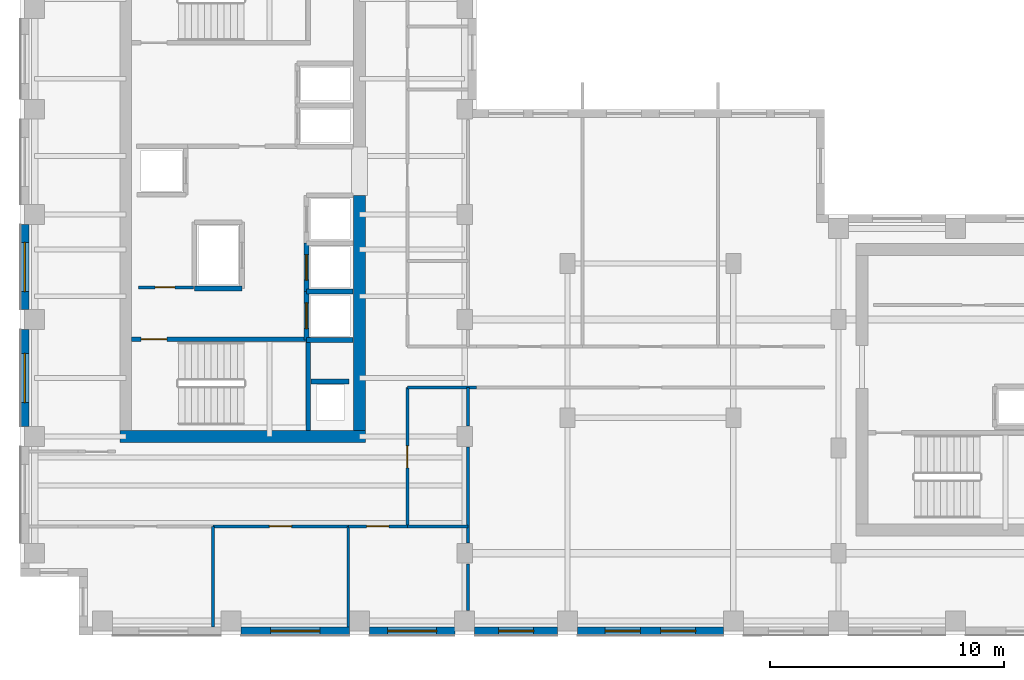
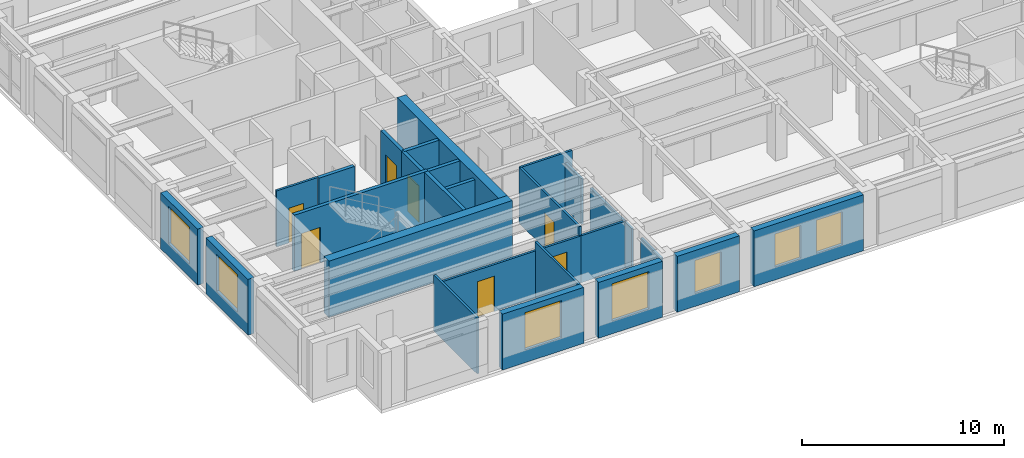
# One storey, part 6 of 12: 27 walls, 7 doors, 7 windows, 14 openings.
"""IFC4 building model written with IfcOpenShell, lengths in metres."""

from ifc_helpers import new_model, si_unit, direction, frame, frame_2d, origin, place, context, subcontext, project, spatial, rectangle, extrude, source, transform, mapped, material, layer, layer_set, type_object, element, fill, save


model = new_model("IFC4")

# Units and contexts
model_context = context("Model", 3, precision=1e-05, world=origin(), true_north=direction((0.0, 1.0)))
body_context = subcontext(model_context, "Body", "Model", "MODEL_VIEW")
ifc_project = project(units=[si_unit("LENGTHUNIT", "METRE"), si_unit("AREAUNIT", "SQUARE_METRE"), si_unit("VOLUMEUNIT", "CUBIC_METRE"), si_unit("PLANEANGLEUNIT", "RADIAN"), si_unit("MASSUNIT", "GRAM", prefix="KILO")], contexts=[model_context])

# Site, building, storey
site_placement = place(None, origin())
site = spatial("IfcSite", under=ifc_project, at=site_placement, CompositionType="ELEMENT")
building_placement = place(site_placement, origin())
building = spatial("IfcBuilding", under=site, at=building_placement, Name="Kharzan Plaza Tower", CompositionType="ELEMENT")
storey_placement = place(building_placement, frame((0.0, 0.0, 255.60009765625)))
storey = spatial("IfcBuildingStorey", under=building, at=storey_placement, Name="L69", CompositionType="ELEMENT", Elevation=255.60009765625)

# Wall, opening, window
ifc_material_1 = material(Name="Concrete C40/50", Category="concrete")
ifc_layer_1 = layer(ifc_material_1, 0.35009765625)
ifc_layer_set_1 = layer_set([ifc_layer_1], Name="Concrete C40/50")
wall_type_1 = type_object("IfcWallType", Name="WL-EXT-MAS-Z4", PredefinedType="SOLIDWALL", material=ifc_layer_set_1)
wall_1_placement = place(storey_placement, frame((0.175048828125, 17.576904296875, 0.0), z_axis=(0.0, 0.0, 1.0), x_axis=(0.0, -1.0, 0.0)))
wall_1 = element("IfcWall", 1, at=wall_1_placement, inside=storey, type_object=wall_type_1, Name="L69 Masonry-Frame Exterior Wall 20", PredefinedType="SOLIDWALL", context=body_context, shape_type="SweptSolid", body=[
    extrude(rectangle(XDim=3.65380859375, YDim=0.35009765625, at=frame_2d((1.826904296875, 0.0))), origin(), (0.0, 0.0, 1.0), 3.385009765625),
])
opening_1_placement = place(wall_1_placement, frame((0.777099609375, 0.0, 0.780029296875)))
opening_1 = element("IfcOpeningElement", 2, at=opening_1_placement, cuts=wall_1, Name="Opening W6", PredefinedType="OPENING", context=body_context, shape_type="SweptSolid", body=[
    extrude(rectangle(XDim=2.10009765625, YDim=2.25, at=frame_2d((1.050048828125, 1.125))), frame((0.0, 0.18505859375, 0.0), z_axis=(0.0, -1.0, 0.0), x_axis=(1.0, 0.0, 0.0)), (0.0, 0.0, 1.0), 0.3701171875),
])
ifc_material_2 = material(Name="Low-E Double Glazing", Category="glass")
window_type_1 = type_object("IfcWindowType", Name="WN-EXEC-2100x2250", PartitioningType="SINGLE_PANEL", PredefinedType="WINDOW", material=ifc_material_2)
shared_shape_1 = source(origin(), body_context, "Body", "SweptSolid", [
    extrude(rectangle(XDim=2.10009765625, YDim=2.25, at=frame_2d((1.050048828125, 1.125))), frame((0.0, 0.030029296875, 0.0), z_axis=(0.0, -1.0, 0.0), x_axis=(1.0, 0.0, 0.0)), (0.0, 0.0, 1.0), 0.06005859375),
])
window_1_placement = place(opening_1_placement, origin())
window_1 = element("IfcWindow", 3, at=window_1_placement, inside=storey, type_object=window_type_1, Name="L69 Recessed Solar-Control Window 20-1", OverallHeight=2.25, OverallWidth=2.10009765625, PartitioningType="SINGLE_PANEL", PredefinedType="WINDOW", context=body_context, shape_type="MappedRepresentation", body=[
    mapped(shared_shape_1, transform((0.0, 0.0, 0.0), x_axis=(1.0, 0.0, 0.0), y_axis=(0.0, 1.0, 0.0), z_axis=(0.0, 0.0, 1.0))),
])
fill(opening_1, window_1)

wall_2_placement = place(storey_placement, frame((0.175048828125, 13.076904296875, 0.0), z_axis=(0.0, 0.0, 1.0), x_axis=(0.0, -1.0, 0.0)))
wall_2 = element("IfcWall", 4, at=wall_2_placement, inside=storey, type_object=wall_type_1, Name="L69 Masonry-Frame Exterior Wall 21", PredefinedType="SOLIDWALL", context=body_context, shape_type="SweptSolid", body=[
    extrude(rectangle(XDim=4.15380859375, YDim=0.35009765625, at=frame_2d((2.076904296875, 0.0))), origin(), (0.0, 0.0, 1.0), 3.385009765625),
])
opening_2_placement = place(wall_2_placement, frame((1.027099609375, 0.0, 0.780029296875)))
opening_2 = element("IfcOpeningElement", 5, at=opening_2_placement, cuts=wall_2, Name="Opening W6", PredefinedType="OPENING", context=body_context, shape_type="SweptSolid", body=[
    extrude(rectangle(XDim=2.10009765625, YDim=2.25, at=frame_2d((1.050048828125, 1.125))), frame((0.0, 0.18505859375, 0.0), z_axis=(0.0, -1.0, 0.0), x_axis=(1.0, 0.0, 0.0)), (0.0, 0.0, 1.0), 0.3701171875),
])
window_2_placement = place(opening_2_placement, origin())
window_2 = element("IfcWindow", 6, at=window_2_placement, inside=storey, type_object=window_type_1, Name="L69 Recessed Solar-Control Window 21-1", OverallHeight=2.25, OverallWidth=2.10009765625, PartitioningType="SINGLE_PANEL", PredefinedType="WINDOW", context=body_context, shape_type="MappedRepresentation", body=[
    mapped(shared_shape_1, transform((0.0, 0.0, 0.0), x_axis=(1.0, 0.0, 0.0), y_axis=(0.0, 1.0, 0.0), z_axis=(0.0, 0.0, 1.0))),
])
fill(opening_2, window_2)

wall_3_placement = place(storey_placement, frame((9.423095703125, 0.175048828125, 0.0), z_axis=(0.0, 0.0, 1.0), x_axis=(1.0, 0.0, 0.0)))
wall_3 = element("IfcWall", 7, at=wall_3_placement, inside=storey, type_object=wall_type_1, Name="L69 Masonry-Frame Exterior Wall 28", PredefinedType="SOLIDWALL", context=body_context, shape_type="SweptSolid", body=[
    extrude(rectangle(XDim=4.65380859375, YDim=0.35009765625, at=frame_2d((2.326904296875, 0.0))), origin(), (0.0, 0.0, 1.0), 3.385009765625),
])
opening_3_placement = place(wall_3_placement, frame((1.277099609375, 0.0, 0.780029296875)))
opening_3 = element("IfcOpeningElement", 8, at=opening_3_placement, cuts=wall_3, Name="Opening W6", PredefinedType="OPENING", context=body_context, shape_type="SweptSolid", body=[
    extrude(rectangle(XDim=2.10009765625, YDim=2.25, at=frame_2d((1.050048828125, 1.125))), frame((0.0, 0.18505859375, 0.0), z_axis=(0.0, -1.0, 0.0), x_axis=(1.0, 0.0, 0.0)), (0.0, 0.0, 1.0), 0.3701171875),
])
window_3_placement = place(opening_3_placement, origin())
window_3 = element("IfcWindow", 9, at=window_3_placement, inside=storey, type_object=window_type_1, Name="L69 Recessed Solar-Control Window 28-1", OverallHeight=2.25, OverallWidth=2.10009765625, PartitioningType="SINGLE_PANEL", PredefinedType="WINDOW", context=body_context, shape_type="MappedRepresentation", body=[
    mapped(shared_shape_1, transform((0.0, 0.0, 0.0), x_axis=(1.0, 0.0, 0.0), y_axis=(0.0, 1.0, 0.0), z_axis=(0.0, 0.0, 1.0))),
])
fill(opening_3, window_3)

wall_4_placement = place(storey_placement, frame((14.923095703125, 0.175048828125, 0.0), z_axis=(0.0, 0.0, 1.0), x_axis=(1.0, 0.0, 0.0)))
wall_4 = element("IfcWall", 10, at=wall_4_placement, inside=storey, type_object=wall_type_1, Name="L69 Masonry-Frame Exterior Wall 29", PredefinedType="SOLIDWALL", context=body_context, shape_type="SweptSolid", body=[
    extrude(rectangle(XDim=3.65380859375, YDim=0.35009765625, at=frame_2d((1.826904296875, 0.0))), origin(), (0.0, 0.0, 1.0), 3.385009765625),
])
opening_4_placement = place(wall_4_placement, frame((0.777099609375, 0.0, 0.780029296875)))
opening_4 = element("IfcOpeningElement", 11, at=opening_4_placement, cuts=wall_4, Name="Opening W6", PredefinedType="OPENING", context=body_context, shape_type="SweptSolid", body=[
    extrude(rectangle(XDim=2.10009765625, YDim=2.25, at=frame_2d((1.050048828125, 1.125))), frame((0.0, 0.18505859375, 0.0), z_axis=(0.0, -1.0, 0.0), x_axis=(1.0, 0.0, 0.0)), (0.0, 0.0, 1.0), 0.3701171875),
])
window_4_placement = place(opening_4_placement, origin())
window_4 = element("IfcWindow", 12, at=window_4_placement, inside=storey, type_object=window_type_1, Name="L69 Recessed Solar-Control Window 29-1", OverallHeight=2.25, OverallWidth=2.10009765625, PartitioningType="SINGLE_PANEL", PredefinedType="WINDOW", context=body_context, shape_type="MappedRepresentation", body=[
    mapped(shared_shape_1, transform((0.0, 0.0, 0.0), x_axis=(1.0, 0.0, 0.0), y_axis=(0.0, 1.0, 0.0), z_axis=(0.0, 0.0, 1.0))),
])
fill(opening_4, window_4)

wall_5_placement = place(storey_placement, frame((19.423095703125, 0.175048828125, 0.0), z_axis=(0.0, 0.0, 1.0), x_axis=(1.0, 0.0, 0.0)))
wall_5 = element("IfcWall", 13, at=wall_5_placement, inside=storey, type_object=wall_type_1, Name="L69 Masonry-Frame Exterior Wall 30", PredefinedType="SOLIDWALL", context=body_context, shape_type="SweptSolid", body=[
    extrude(rectangle(XDim=3.553955078125, YDim=0.35009765625, at=frame_2d((1.77685546875, 0.0))), origin(), (0.0, 0.0, 1.0), 3.385009765625),
])
opening_5_placement = place(wall_5_placement, frame((1.027099609375, 0.0, 0.780029296875)))
opening_5 = element("IfcOpeningElement", 14, at=opening_5_placement, cuts=wall_5, Name="Opening W5", PredefinedType="OPENING", context=body_context, shape_type="SweptSolid", body=[
    extrude(rectangle(XDim=1.5, YDim=2.0, at=frame_2d((0.75, 1.0))), frame((0.0, 0.18505859375, 0.0), z_axis=(0.0, -1.0, 0.0), x_axis=(1.0, 0.0, 0.0)), (0.0, 0.0, 1.0), 0.3701171875),
])
window_type_2 = type_object("IfcWindowType", Name="WN-SLT-1500x2000", PartitioningType="SINGLE_PANEL", PredefinedType="WINDOW", material=ifc_material_2)
shared_shape_2 = source(origin(), body_context, "Body", "SweptSolid", [
    extrude(rectangle(XDim=1.5, YDim=2.0, at=frame_2d((0.75, 1.0))), frame((0.0, 0.030029296875, 0.0), z_axis=(0.0, -1.0, 0.0), x_axis=(1.0, 0.0, 0.0)), (0.0, 0.0, 1.0), 0.06005859375),
])
window_5_placement = place(opening_5_placement, origin())
window_5 = element("IfcWindow", 15, at=window_5_placement, inside=storey, type_object=window_type_2, Name="L69 Recessed Solar-Control Window 30-1", OverallHeight=2.0, OverallWidth=1.5, PartitioningType="SINGLE_PANEL", PredefinedType="WINDOW", context=body_context, shape_type="MappedRepresentation", body=[
    mapped(shared_shape_2, transform((0.0, 0.0, 0.0), x_axis=(1.0, 0.0, 0.0), y_axis=(0.0, 1.0, 0.0), z_axis=(0.0, 0.0, 1.0))),
])
fill(opening_5, window_5)

# Wall, openings, windows
wall_6_placement = place(storey_placement, frame((23.822998046875, 0.175048828125, 0.0), z_axis=(0.0, 0.0, 1.0), x_axis=(1.0, 0.0, 0.0)))
wall_6 = element("IfcWall", 16, at=wall_6_placement, inside=storey, type_object=wall_type_1, Name="L69 Masonry-Frame Exterior Wall 31", PredefinedType="SOLIDWALL", context=body_context, shape_type="SweptSolid", body=[
    extrude(rectangle(XDim=6.25390625, YDim=0.35009765625, at=frame_2d((3.126953125, 0.0))), origin(), (0.0, 0.0, 1.0), 3.385009765625),
])
opening_6_placement = place(wall_6_placement, frame((1.19140625, 0.0, 0.780029296875)))
opening_6 = element("IfcOpeningElement", 17, at=opening_6_placement, cuts=wall_6, Name="Opening W5", PredefinedType="OPENING", context=body_context, shape_type="SweptSolid", body=[
    extrude(rectangle(XDim=1.5, YDim=2.0, at=frame_2d((0.75, 1.0))), frame((0.0, 0.18505859375, 0.0), z_axis=(0.0, -1.0, 0.0), x_axis=(1.0, 0.0, 0.0)), (0.0, 0.0, 1.0), 0.3701171875),
])
opening_7_placement = place(wall_6_placement, frame((3.562744140625, 0.0, 0.780029296875)))
opening_7 = element("IfcOpeningElement", 18, at=opening_7_placement, cuts=wall_6, Name="Opening W5", PredefinedType="OPENING", context=body_context, shape_type="SweptSolid", body=[
    extrude(rectangle(XDim=1.5, YDim=2.0, at=frame_2d((0.75, 1.0))), frame((0.0, 0.18505859375, 0.0), z_axis=(0.0, -1.0, 0.0), x_axis=(1.0, 0.0, 0.0)), (0.0, 0.0, 1.0), 0.3701171875),
])
window_6_placement = place(opening_6_placement, origin())
window_6 = element("IfcWindow", 19, at=window_6_placement, inside=storey, type_object=window_type_2, Name="L69 Recessed Solar-Control Window 31-1", OverallHeight=2.0, OverallWidth=1.5, PartitioningType="SINGLE_PANEL", PredefinedType="WINDOW", context=body_context, shape_type="MappedRepresentation", body=[
    mapped(shared_shape_2, transform((0.0, 0.0, 0.0), x_axis=(1.0, 0.0, 0.0), y_axis=(0.0, 1.0, 0.0), z_axis=(0.0, 0.0, 1.0))),
])
fill(opening_6, window_6)
window_7_placement = place(opening_7_placement, origin())
window_7 = element("IfcWindow", 20, at=window_7_placement, inside=storey, type_object=window_type_2, Name="L69 Recessed Solar-Control Window 31-2", OverallHeight=2.0, OverallWidth=1.5, PartitioningType="SINGLE_PANEL", PredefinedType="WINDOW", context=body_context, shape_type="MappedRepresentation", body=[
    mapped(shared_shape_2, transform((0.0, 0.0, 0.0), x_axis=(1.0, 0.0, 0.0), y_axis=(0.0, 1.0, 0.0), z_axis=(0.0, 0.0, 1.0))),
])
fill(opening_7, window_7)

# Wall, opening, door
ifc_material_3 = material(Name="Fire-Rated Gypsum Board Partition", Category="gypsum")
ifc_layer_2 = layer(ifc_material_3, 0.125)
ifc_layer_set_2 = layer_set([ifc_layer_2], Name="Fire-Rated Gypsum Board Partition")
wall_type_2 = type_object("IfcWallType", Name="WL-INT-PART-125", PredefinedType="PARTITIONING", material=ifc_layer_set_2)
wall_7_placement = place(storey_placement, frame((5.050048828125, 14.8798828125, 0.0), z_axis=(0.0, 0.0, 1.0), x_axis=(1.0, 0.0, 0.0)))
wall_7 = element("IfcWall", 21, at=wall_7_placement, inside=storey, type_object=wall_type_2, Name="L69 Interior Partition CA-K0", PredefinedType="PARTITIONING", context=body_context, shape_type="SweptSolid", body=[
    extrude(rectangle(XDim=2.349853515625, YDim=0.125, at=frame_2d((1.1748046875, 0.0))), origin(), (0.0, 0.0, 1.0), 3.385009765625),
])
opening_8_placement = place(wall_7_placement, frame((0.699951171875, 0.0, 0.0)))
opening_8 = element("IfcOpeningElement", 22, at=opening_8_placement, cuts=wall_7, Name="Opening RD1", PredefinedType="OPENING", context=body_context, shape_type="SweptSolid", body=[
    extrude(rectangle(XDim=0.85009765625, YDim=2.10009765625, at=frame_2d((0.425048828125, 1.050048828125))), frame((0.0, 0.072509765625, 0.0), z_axis=(0.0, -1.0, 0.0), x_axis=(1.0, 0.0, 0.0)), (0.0, 0.0, 1.0), 0.14501953125),
])
ifc_material_4 = material(Name="Powder-Coated Fire-Rated Steel", Category="steel")
door_type_1 = type_object("IfcDoorType", Name="DR-RISER-900", OperationType="NOTDEFINED", PredefinedType="DOOR", material=ifc_material_4)
shared_shape_3 = source(origin(), body_context, "Body", "SweptSolid", [
    extrude(rectangle(XDim=0.85009765625, YDim=2.10009765625, at=frame_2d((0.425048828125, 1.050048828125))), frame((0.0, 0.02490234375, 0.0), z_axis=(0.0, -1.0, 0.0), x_axis=(1.0, 0.0, 0.0)), (0.0, 0.0, 1.0), 0.050048828125),
])
door_1_placement = place(opening_8_placement, origin())
door_1 = element("IfcDoor", 23, at=door_1_placement, inside=storey, type_object=door_type_1, Name="L69 Cleaners Store Door", OperationType="SINGLE_SWING_LEFT", OverallHeight=2.10009765625, OverallWidth=0.85009765625, PredefinedType="DOOR", context=body_context, shape_type="MappedRepresentation", body=[
    mapped(shared_shape_3, transform((0.0, 0.0, 0.0), x_axis=(1.0, 0.0, 0.0), y_axis=(0.0, 1.0, 0.0), z_axis=(0.0, 0.0, 1.0))),
])
fill(opening_8, door_1)

wall_8_placement = place(storey_placement, frame((16.550048828125, 4.64990234375, 0.0), z_axis=(0.0, 0.0, 1.0), x_axis=(0.0, 1.0, 0.0)))
wall_8 = element("IfcWall", 24, at=wall_8_placement, inside=storey, type_object=wall_type_2, Name="L69 Interior Partition SH-AEWS", PredefinedType="PARTITIONING", context=body_context, shape_type="SweptSolid", body=[
    extrude(rectangle(XDim=5.9501953125, YDim=0.125, at=frame_2d((2.97509765625, 0.0))), origin(), (0.0, 0.0, 1.0), 3.385009765625),
])
opening_9_placement = place(wall_8_placement, frame((2.5, 0.0, 0.0)))
opening_9 = element("IfcOpeningElement", 25, at=opening_9_placement, cuts=wall_8, Name="Opening OD1", PredefinedType="OPENING", context=body_context, shape_type="SweptSolid", body=[
    extrude(rectangle(XDim=0.949951171875, YDim=2.14990234375, at=frame_2d((0.47509765625, 1.074951171875))), frame((0.0, 0.072509765625, 0.0), z_axis=(0.0, -1.0, 0.0), x_axis=(1.0, 0.0, 0.0)), (0.0, 0.0, 1.0), 0.14501953125),
])
ifc_material_5 = material(Name="Acoustic Solid-Core Stained Oak", Category="timber")
door_type_2 = type_object("IfcDoorType", Name="DR-OFF-SINGLE", OperationType="NOTDEFINED", PredefinedType="DOOR", material=ifc_material_5)
shared_shape_4 = source(origin(), body_context, "Body", "SweptSolid", [
    extrude(rectangle(XDim=0.949951171875, YDim=2.14990234375, at=frame_2d((0.47509765625, 1.074951171875))), frame((0.0, 0.02490234375, 0.0), z_axis=(0.0, -1.0, 0.0), x_axis=(1.0, 0.0, 0.0)), (0.0, 0.0, 1.0), 0.050048828125),
])
door_2_placement = place(opening_9_placement, origin())
door_2 = element("IfcDoor", 26, at=door_2_placement, inside=storey, type_object=door_type_2, Name="L69 Slot South Office Door", OperationType="SINGLE_SWING_LEFT", OverallHeight=2.14990234375, OverallWidth=0.949951171875, PredefinedType="DOOR", context=body_context, shape_type="MappedRepresentation", body=[
    mapped(shared_shape_4, transform((0.0, 0.0, 0.0), x_axis=(1.0, 0.0, 0.0), y_axis=(0.0, 1.0, 0.0), z_axis=(0.0, 0.0, 1.0))),
])
fill(opening_9, door_2)

wall_9_placement = place(storey_placement, frame((8.22705078125, 4.64990234375, 0.0), z_axis=(0.0, 0.0, 1.0), x_axis=(1.0, 0.0, 0.0)))
wall_9 = element("IfcWall", 27, at=wall_9_placement, inside=storey, type_object=wall_type_2, Name="L69 Interior Partition SH-SS-2", PredefinedType="PARTITIONING", context=body_context, shape_type="SweptSolid", body=[
    extrude(rectangle(XDim=5.7919921875, YDim=0.125, at=frame_2d((2.89599609375, 0.0))), origin(), (0.0, 0.0, 1.0), 2.847900390625),
])
opening_10_placement = place(wall_9_placement, frame((2.4208984375, 0.0, 0.0)))
opening_10 = element("IfcOpeningElement", 28, at=opening_10_placement, cuts=wall_9, Name="Opening OD1", PredefinedType="OPENING", context=body_context, shape_type="SweptSolid", body=[
    extrude(rectangle(XDim=0.949951171875, YDim=2.14990234375, at=frame_2d((0.47509765625, 1.074951171875))), frame((0.0, 0.072509765625, 0.0), z_axis=(0.0, -1.0, 0.0), x_axis=(1.0, 0.0, 0.0)), (0.0, 0.0, 1.0), 0.14501953125),
])
door_3_placement = place(opening_10_placement, origin())
door_3 = element("IfcDoor", 29, at=door_3_placement, inside=storey, type_object=door_type_2, Name="L69 Cloud Architecture Office Door", OperationType="SINGLE_SWING_RIGHT", OverallHeight=2.14990234375, OverallWidth=0.949951171875, PredefinedType="DOOR", context=body_context, shape_type="MappedRepresentation", body=[
    mapped(shared_shape_4, transform((0.0, 0.0, 0.0), x_axis=(1.0, 0.0, 0.0), y_axis=(0.0, 1.0, 0.0), z_axis=(0.0, 0.0, 1.0))),
])
fill(opening_10, door_3)

wall_10_placement = place(storey_placement, frame((14.01904296875, 4.64990234375, 0.0), z_axis=(0.0, 0.0, 1.0), x_axis=(1.0, 0.0, 0.0)))
wall_10 = element("IfcWall", 30, at=wall_10_placement, inside=storey, type_object=wall_type_2, Name="L69 Interior Partition SH-SS-3", PredefinedType="PARTITIONING", context=body_context, shape_type="SweptSolid", body=[
    extrude(rectangle(XDim=2.531005859375, YDim=0.125, at=frame_2d((1.265625, 0.0))), origin(), (0.0, 0.0, 1.0), 2.847900390625),
])
opening_11_placement = place(wall_10_placement, frame((0.79052734375, 0.0, 0.0)))
opening_11 = element("IfcOpeningElement", 31, at=opening_11_placement, cuts=wall_10, Name="Opening OD1", PredefinedType="OPENING", context=body_context, shape_type="SweptSolid", body=[
    extrude(rectangle(XDim=0.949951171875, YDim=2.14990234375, at=frame_2d((0.47509765625, 1.074951171875))), frame((0.0, 0.072509765625, 0.0), z_axis=(0.0, -1.0, 0.0), x_axis=(1.0, 0.0, 0.0)), (0.0, 0.0, 1.0), 0.14501953125),
])
door_4_placement = place(opening_11_placement, origin())
door_4 = element("IfcDoor", 32, at=door_4_placement, inside=storey, type_object=door_type_2, Name="L69 Sprint Review Meeting Room Door", OperationType="SINGLE_SWING_LEFT", OverallHeight=2.14990234375, OverallWidth=0.949951171875, PredefinedType="DOOR", context=body_context, shape_type="MappedRepresentation", body=[
    mapped(shared_shape_4, transform((0.0, 0.0, 0.0), x_axis=(1.0, 0.0, 0.0), y_axis=(0.0, 1.0, 0.0), z_axis=(0.0, 0.0, 1.0))),
])
fill(opening_11, door_4)

ifc_layer_3 = layer(ifc_material_1, 0.199951171875)
ifc_layer_set_3 = layer_set([ifc_layer_3], Name="Concrete C40/50")
wall_type_3 = type_object("IfcWallType", Name="WL-INT-SHAFT-200", PredefinedType="PARTITIONING", material=ifc_layer_set_3)
wall_11_placement = place(storey_placement, frame((12.22998046875, 12.6298828125, 0.0), z_axis=(0.0, 0.0, 1.0), x_axis=(0.0, 1.0, 0.0)))
wall_11 = element("IfcWall", 33, at=wall_11_placement, inside=storey, type_object=wall_type_3, Name="L69 Interior Partition SHF-PL-H1-W", PredefinedType="PARTITIONING", context=body_context, shape_type="SweptSolid", body=[
    extrude(rectangle(XDim=2.070068359375, YDim=0.199951171875, at=frame_2d((1.03515625, 0.0))), origin(), (0.0, 0.0, 1.0), 3.385009765625),
])
opening_12_placement = place(wall_11_placement, frame((0.485107421875, 0.0, 0.0)))
opening_12 = element("IfcOpeningElement", 34, at=opening_12_placement, cuts=wall_11, Name="Opening LD", PredefinedType="OPENING", context=body_context, shape_type="SweptSolid", body=[
    extrude(rectangle(XDim=1.10009765625, YDim=2.199951171875, at=frame_2d((0.550048828125, 1.10009765625))), frame((0.0, 0.10986328125, 0.0), z_axis=(0.0, -1.0, 0.0), x_axis=(1.0, 0.0, 0.0)), (0.0, 0.0, 1.0), 0.219970703125),
])
ifc_material_6 = material(Name="Brushed Stainless Steel", Category="steel")
door_type_3 = type_object("IfcDoorType", Name="DR-LIFT-SLIDE", OperationType="SLIDING_TO_LEFT", PredefinedType="DOOR", material=ifc_material_6)
shared_shape_5 = source(origin(), body_context, "Body", "SweptSolid", [
    extrude(rectangle(XDim=1.10009765625, YDim=2.199951171875, at=frame_2d((0.550048828125, 1.10009765625))), frame((0.0, 0.02490234375, 0.0), z_axis=(0.0, -1.0, 0.0), x_axis=(1.0, 0.0, 0.0)), (0.0, 0.0, 1.0), 0.050048828125),
])
door_5_placement = place(opening_12_placement, origin())
door_5 = element("IfcDoor", 35, at=door_5_placement, inside=storey, type_object=door_type_3, Name="L69 High-Rise Passenger Lift PL-H1 Sliding Landing Door", OperationType="SLIDING_TO_LEFT", OverallHeight=2.199951171875, OverallWidth=1.10009765625, PredefinedType="DOOR", context=body_context, shape_type="MappedRepresentation", body=[
    mapped(shared_shape_5, transform((0.0, 0.0, 0.0), x_axis=(1.0, 0.0, 0.0), y_axis=(0.0, 1.0, 0.0), z_axis=(0.0, 0.0, 1.0))),
])
fill(opening_12, door_5)

wall_12_placement = place(storey_placement, frame((12.22998046875, 14.699951171875, 0.0), z_axis=(0.0, 0.0, 1.0), x_axis=(0.0, 1.0, 0.0)))
wall_12 = element("IfcWall", 36, at=wall_12_placement, inside=storey, type_object=wall_type_3, Name="L69 Interior Partition SHF-PL-H2-W", PredefinedType="PARTITIONING", context=body_context, shape_type="SweptSolid", body=[
    extrude(rectangle(XDim=2.070068359375, YDim=0.199951171875, at=frame_2d((1.03515625, 0.0))), origin(), (0.0, 0.0, 1.0), 3.385009765625),
])
opening_13_placement = place(wall_12_placement, frame((0.485107421875, 0.0, 0.0)))
opening_13 = element("IfcOpeningElement", 37, at=opening_13_placement, cuts=wall_12, Name="Opening LD", PredefinedType="OPENING", context=body_context, shape_type="SweptSolid", body=[
    extrude(rectangle(XDim=1.10009765625, YDim=2.199951171875, at=frame_2d((0.550048828125, 1.10009765625))), frame((0.0, 0.10986328125, 0.0), z_axis=(0.0, -1.0, 0.0), x_axis=(1.0, 0.0, 0.0)), (0.0, 0.0, 1.0), 0.219970703125),
])
door_6_placement = place(opening_13_placement, origin())
door_6 = element("IfcDoor", 38, at=door_6_placement, inside=storey, type_object=door_type_3, Name="L69 High-Rise Passenger Lift PL-H2 Sliding Landing Door", OperationType="SLIDING_TO_LEFT", OverallHeight=2.199951171875, OverallWidth=1.10009765625, PredefinedType="DOOR", context=body_context, shape_type="MappedRepresentation", body=[
    mapped(shared_shape_5, transform((0.0, 0.0, 0.0), x_axis=(1.0, 0.0, 0.0), y_axis=(0.0, 1.0, 0.0), z_axis=(0.0, 0.0, 1.0))),
])
fill(opening_13, door_6)

ifc_material_7 = material(Name="Concrete C50/60", Category="concrete")
ifc_layer_4 = layer(ifc_material_7, 0.199951171875)
ifc_layer_set_4 = layer_set([ifc_layer_4], Name="Concrete C50/60")
wall_type_4 = type_object("IfcWallType", Name="WL-SHAFT-RC200", PredefinedType="SHEAR", material=ifc_layer_set_4)
wall_13_placement = place(storey_placement, frame((4.751953125, 12.655029296875, 0.0), z_axis=(0.0, 0.0, 1.0), x_axis=(1.0, 0.0, 0.0)))
wall_13 = element("IfcWall", 39, at=wall_13_placement, inside=storey, type_object=wall_type_4, Name="L69 Stair ST-1 North RC Shaft Wall", PredefinedType="SHEAR", context=body_context, shape_type="SweptSolid", body=[
    extrude(rectangle(XDim=7.653076171875, YDim=0.199951171875, at=frame_2d((3.82666015625, 0.0))), origin(), (0.0, 0.0, 1.0), 3.39990234375),
])
opening_14_placement = place(wall_13_placement, frame((0.39990234375, 0.0, 0.0)))
opening_14 = element("IfcOpeningElement", 40, at=opening_14_placement, cuts=wall_13, Name="Opening SD1", PredefinedType="OPENING", context=body_context, shape_type="SweptSolid", body=[
    extrude(rectangle(XDim=1.10009765625, YDim=2.14990234375, at=frame_2d((0.550048828125, 1.074951171875))), frame((0.0, 0.10986328125, 0.0), z_axis=(0.0, -1.0, 0.0), x_axis=(1.0, 0.0, 0.0)), (0.0, 0.0, 1.0), 0.219970703125),
])
ifc_material_8 = material(Name="Fire-Rated Hollow Galvanized Steel", Category="steel")
door_type_4 = type_object("IfcDoorType", Name="DR-STAIR-FD120", OperationType="NOTDEFINED", PredefinedType="DOOR", material=ifc_material_8)
shared_shape_6 = source(origin(), body_context, "Body", "SweptSolid", [
    extrude(rectangle(XDim=1.10009765625, YDim=2.14990234375, at=frame_2d((0.550048828125, 1.074951171875))), frame((0.0, 0.02490234375, 0.0), z_axis=(0.0, -1.0, 0.0), x_axis=(1.0, 0.0, 0.0)), (0.0, 0.0, 1.0), 0.050048828125),
])
door_7_placement = place(opening_14_placement, origin())
door_7 = element("IfcDoor", 41, at=door_7_placement, inside=storey, type_object=door_type_4, Name="L69 Stair ST-1 Fire Exit Door", OperationType="SINGLE_SWING_RIGHT", OverallHeight=2.14990234375, OverallWidth=1.10009765625, PredefinedType="DOOR", context=body_context, shape_type="MappedRepresentation", body=[
    mapped(shared_shape_6, transform((0.0, 0.0, 0.0), x_axis=(1.0, 0.0, 0.0), y_axis=(0.0, 1.0, 0.0), z_axis=(0.0, 0.0, 1.0))),
])
fill(opening_14, door_7)

# Walls
shared_shape_7 = source(origin(), body_context, "Body", "SweptSolid", [
    extrude(rectangle(XDim=4.2978515625, YDim=0.125, at=frame_2d((2.14892578125, 0.0))), origin(), (0.0, 0.0, 1.0), 3.385009765625),
])
for number, where, z_axis, x_axis, name in (
    (42, (8.22705078125, 0.35205078125, 0.0), (0.0, 0.0, 1.0), (0.0, 1.0, 0.0), "L69 Interior Partition SH-SV-1"),
    (43, (14.01904296875, 0.35205078125, 0.0), (0.0, 0.0, 1.0), (0.0, 1.0, 0.0), "L69 Interior Partition SH-SV-2"),
):
    element("IfcWall", number, at=place(storey_placement, frame(where, z_axis=z_axis, x_axis=x_axis)), inside=storey, type_object=wall_type_2, Name=name, PredefinedType="PARTITIONING", context=body_context, shape_type="MappedRepresentation", body=[
        mapped(shared_shape_7, transform((0.0, 0.0, 0.0), x_axis=(1.0, 0.0, 0.0), y_axis=(0.0, 1.0, 0.0), z_axis=(0.0, 0.0, 1.0))),
    ])
shared_shape_8 = source(origin(), body_context, "Body", "SweptSolid", [
    extrude(rectangle(XDim=1.630126953125, YDim=0.199951171875, at=frame_2d((0.81494140625, 0.0))), origin(), (0.0, 0.0, 1.0), 3.385009765625),
])
wall_14_placement = place(storey_placement, frame((12.419921875, 10.85009765625, 0.0), z_axis=(0.0, 0.0, 1.0), x_axis=(1.0, 0.0, 0.0)))
element("IfcWall", 44, at=wall_14_placement, inside=storey, type_object=wall_type_3, Name="L69 Interior Partition CA-RSRA-N", PredefinedType="PARTITIONING", context=body_context, shape_type="MappedRepresentation", body=[
    mapped(shared_shape_8, transform((0.0, 0.0, 0.0), x_axis=(1.0, 0.0, 0.0), y_axis=(0.0, 1.0, 0.0), z_axis=(0.0, 0.0, 1.0))),
])
shared_shape_9 = source(origin(), body_context, "Body", "SweptSolid", [
    extrude(rectangle(XDim=2.0400390625, YDim=0.199951171875, at=frame_2d((1.02001953125, 0.0))), origin(), (0.0, 0.0, 1.0), 3.385009765625),
])
wall_15_placement = place(storey_placement, frame((7.429931640625, 14.830078125, 0.0), z_axis=(0.0, 0.0, 1.0), x_axis=(1.0, 0.0, 0.0)))
element("IfcWall", 45, at=wall_15_placement, inside=storey, type_object=wall_type_3, Name="L69 Interior Partition SHF-SVL-1-S", PredefinedType="PARTITIONING", context=body_context, shape_type="MappedRepresentation", body=[
    mapped(shared_shape_9, transform((0.0, 0.0, 0.0), x_axis=(1.0, 0.0, 0.0), y_axis=(0.0, 1.0, 0.0), z_axis=(0.0, 0.0, 1.0))),
])
shared_shape_10 = source(origin(), body_context, "Body", "SweptSolid", [
    extrude(rectangle(XDim=2.949951171875, YDim=0.125, at=frame_2d((1.47509765625, 0.0))), origin(), (0.0, 0.0, 1.0), 3.385009765625),
])
wall_16_placement = place(storey_placement, frame((16.550048828125, 10.60009765625, 0.0), z_axis=(0.0, 0.0, 1.0), x_axis=(1.0, 0.0, 0.0)))
element("IfcWall", 46, at=wall_16_placement, inside=storey, type_object=wall_type_2, Name="L69 Interior Partition SH-SPS0", PredefinedType="PARTITIONING", context=body_context, shape_type="MappedRepresentation", body=[
    mapped(shared_shape_10, transform((0.0, 0.0, 0.0), x_axis=(1.0, 0.0, 0.0), y_axis=(0.0, 1.0, 0.0), z_axis=(0.0, 0.0, 1.0))),
])
shared_shape_11 = source(origin(), body_context, "Body", "SweptSolid", [
    extrude(rectangle(XDim=1.989990234375, YDim=0.199951171875, at=frame_2d((0.9951171875, 0.0))), origin(), (0.0, 0.0, 1.0), 3.385009765625),
])
for number, where, z_axis, x_axis, name in (
    (47, (12.22998046875, 14.699951171875, 0.0), (0.0, 0.0, 1.0), (1.0, 0.0, 0.0), "L69 Interior Partition SHF-PL-H1-N"),
    (48, (12.22998046875, 12.6298828125, 0.0), (0.0, 0.0, 1.0), (1.0, 0.0, 0.0), "L69 Interior Partition SHF-PL-H1-S"),
):
    element("IfcWall", number, at=place(storey_placement, frame(where, z_axis=z_axis, x_axis=x_axis)), inside=storey, type_object=wall_type_3, Name=name, PredefinedType="PARTITIONING", context=body_context, shape_type="MappedRepresentation", body=[
        mapped(shared_shape_11, transform((0.0, 0.0, 0.0), x_axis=(1.0, 0.0, 0.0), y_axis=(0.0, 1.0, 0.0), z_axis=(0.0, 0.0, 1.0))),
    ])
ifc_layer_5 = layer(ifc_material_7, 0.5)
ifc_layer_set_5 = layer_set([ifc_layer_5], Name="Concrete C50/60")
wall_type_5 = type_object("IfcWallType", Name="WL-CORE-500", PredefinedType="SHEAR", material=ifc_layer_set_5)
shared_shape_12 = source(origin(), body_context, "Body", "SweptSolid", [
    extrude(rectangle(XDim=10.070068359375, YDim=0.5, at=frame_2d((5.03515625, 0.0))), origin(), (0.0, 0.0, 1.0), 3.39990234375),
])
wall_17_placement = place(storey_placement, frame((14.5, 8.75, 0.0), z_axis=(0.0, 0.0, 1.0), x_axis=(0.0, 1.0, 0.0)))
element("IfcWall", 49, at=wall_17_placement, inside=storey, type_object=wall_type_5, Name="L69 CORE-A east shear pier 1", PredefinedType="SHEAR", context=body_context, shape_type="MappedRepresentation", body=[
    mapped(shared_shape_12, transform((0.0, 0.0, 0.0), x_axis=(1.0, 0.0, 0.0), y_axis=(0.0, 1.0, 0.0), z_axis=(0.0, 0.0, 1.0))),
])
shared_shape_13 = source(origin(), body_context, "Body", "SweptSolid", [
    extrude(rectangle(XDim=10.5, YDim=0.5, at=frame_2d((5.25, 0.0))), origin(), (0.0, 0.0, 1.0), 3.39990234375),
])
wall_18_placement = place(storey_placement, frame((4.25, 8.5, 0.0), z_axis=(0.0, 0.0, 1.0), x_axis=(1.0, 0.0, 0.0)))
element("IfcWall", 50, at=wall_18_placement, inside=storey, type_object=wall_type_5, Name="L69 CORE-A south RC shear wall", PredefinedType="SHEAR", context=body_context, shape_type="MappedRepresentation", body=[
    mapped(shared_shape_13, transform((0.0, 0.0, 0.0), x_axis=(1.0, 0.0, 0.0), y_axis=(0.0, 1.0, 0.0), z_axis=(0.0, 0.0, 1.0))),
])
shared_shape_14 = source(origin(), body_context, "Body", "SweptSolid", [
    extrude(rectangle(XDim=1.650146484375, YDim=0.125, at=frame_2d((0.8251953125, 0.0))), origin(), (0.0, 0.0, 1.0), 2.77294921875),
])
wall_19_placement = place(storey_placement, frame((19.14990234375, 8.949951171875, 0.0), z_axis=(0.0, 0.0, 1.0), x_axis=(0.0, 1.0, 0.0)))
element("IfcWall", 51, at=wall_19_placement, inside=storey, type_object=wall_type_2, Name="L69 Interior Partition SH-AESP-DIV-S3", PredefinedType="PARTITIONING", context=body_context, shape_type="MappedRepresentation", body=[
    mapped(shared_shape_14, transform((0.0, 0.0, 0.0), x_axis=(1.0, 0.0, 0.0), y_axis=(0.0, 1.0, 0.0), z_axis=(0.0, 0.0, 1.0))),
])
shared_shape_15 = source(origin(), body_context, "Body", "SweptSolid", [
    extrude(rectangle(XDim=3.802978515625, YDim=0.199951171875, at=frame_2d((1.9013671875, 0.0))), origin(), (0.0, 0.0, 1.0), 3.39990234375),
])
wall_20_placement = place(storey_placement, frame((12.304931640625, 8.751953125, 0.0), z_axis=(0.0, 0.0, 1.0), x_axis=(0.0, 1.0, 0.0)))
element("IfcWall", 52, at=wall_20_placement, inside=storey, type_object=wall_type_4, Name="L69 Stair ST-1 East RC Shaft Wall", PredefinedType="SHEAR", context=body_context, shape_type="MappedRepresentation", body=[
    mapped(shared_shape_15, transform((0.0, 0.0, 0.0), x_axis=(1.0, 0.0, 0.0), y_axis=(0.0, 1.0, 0.0), z_axis=(0.0, 0.0, 1.0))),
])
shared_shape_16 = source(origin(), body_context, "Body", "SweptSolid", [
    extrude(rectangle(XDim=2.599853515625, YDim=0.125, at=frame_2d((1.2998046875, 0.0))), origin(), (0.0, 0.0, 1.0), 2.847900390625),
])
wall_21_placement = place(storey_placement, frame((16.550048828125, 4.64990234375, 0.0), z_axis=(0.0, 0.0, 1.0), x_axis=(1.0, 0.0, 0.0)))
element("IfcWall", 53, at=wall_21_placement, inside=storey, type_object=wall_type_2, Name="L69 Interior Partition SH-SSE-3", PredefinedType="PARTITIONING", context=body_context, shape_type="MappedRepresentation", body=[
    mapped(shared_shape_16, transform((0.0, 0.0, 0.0), x_axis=(1.0, 0.0, 0.0), y_axis=(0.0, 1.0, 0.0), z_axis=(0.0, 0.0, 1.0))),
])
shared_shape_17 = source(origin(), body_context, "Body", "SweptSolid", [
    extrude(rectangle(XDim=2.0, YDim=0.125, at=frame_2d((1.0, 0.0))), origin(), (0.0, 0.0, 1.0), 2.77294921875),
])
wall_22_placement = place(storey_placement, frame((19.14990234375, 1.050048828125, 0.0), z_axis=(0.0, 0.0, 1.0), x_axis=(0.0, 1.0, 0.0)))
element("IfcWall", 54, at=wall_22_placement, inside=storey, type_object=wall_type_2, Name="L69 Interior Partition SH-AESP-DIV-S1", PredefinedType="PARTITIONING", context=body_context, shape_type="MappedRepresentation", body=[
    mapped(shared_shape_17, transform((0.0, 0.0, 0.0), x_axis=(1.0, 0.0, 0.0), y_axis=(0.0, 1.0, 0.0), z_axis=(0.0, 0.0, 1.0))),
])
shared_shape_18 = source(origin(), body_context, "Body", "SweptSolid", [
    extrude(rectangle(XDim=4.10009765625, YDim=0.125, at=frame_2d((2.050048828125, 0.0))), origin(), (0.0, 0.0, 1.0), 2.77294921875),
])
wall_23_placement = place(storey_placement, frame((19.14990234375, 3.949951171875, 0.0), z_axis=(0.0, 0.0, 1.0), x_axis=(0.0, 1.0, 0.0)))
element("IfcWall", 55, at=wall_23_placement, inside=storey, type_object=wall_type_2, Name="L69 Interior Partition SH-AESP-DIV-S2", PredefinedType="PARTITIONING", context=body_context, shape_type="MappedRepresentation", body=[
    mapped(shared_shape_18, transform((0.0, 0.0, 0.0), x_axis=(1.0, 0.0, 0.0), y_axis=(0.0, 1.0, 0.0), z_axis=(0.0, 0.0, 1.0))),
])

save(model, "model.ifc")
